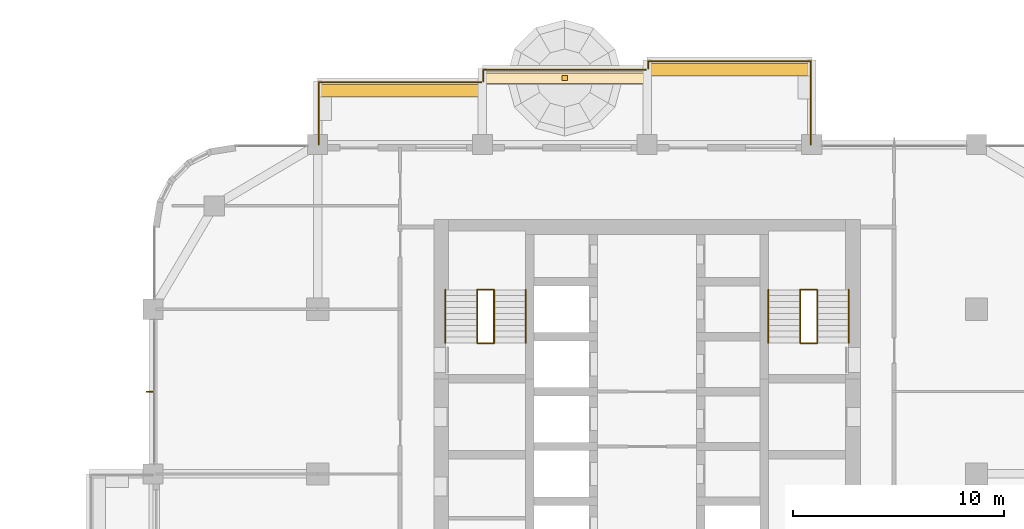
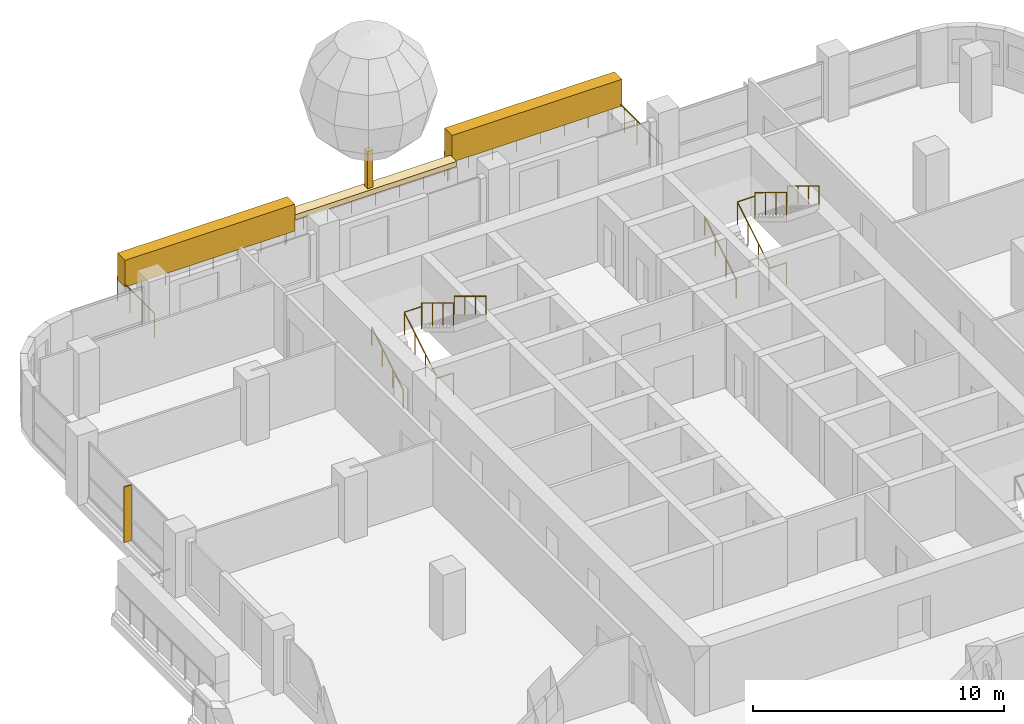
# One storey, part 19 of 21: 15 railings, 4 coverings, 1 shading device, 2 elements without a shape of their own.
"""IFC4 building model written with IfcOpenShell, lengths in metres."""

from ifc_helpers import new_model, si_unit, direction, frame, origin, origin_2d, place, context, subcontext, project, spatial, rectangle, circle, extrude, material, layer, layer_set, type_object, element, aggregate, save


model = new_model("IFC4")

# Units and contexts
model_context = context("Model", 3, precision=1e-05, world=origin(), true_north=direction((0.0, 1.0)))
body_context = subcontext(model_context, "Body", "Model", "MODEL_VIEW")
ifc_project = project(units=[si_unit("LENGTHUNIT", "METRE"), si_unit("AREAUNIT", "SQUARE_METRE"), si_unit("VOLUMEUNIT", "CUBIC_METRE"), si_unit("PLANEANGLEUNIT", "RADIAN"), si_unit("MASSUNIT", "GRAM", prefix="KILO")], contexts=[model_context])

# Site, building, storey
site_placement = place(None, origin())
site = spatial("IfcSite", under=ifc_project, at=site_placement, CompositionType="ELEMENT")
building_placement = place(site_placement, origin())
building = spatial("IfcBuilding", under=site, at=building_placement, Name="Ludao Terraces", CompositionType="ELEMENT")
storey_placement = place(building_placement, frame((0.0, 0.0, 71.60009765625)))
storey = spatial("IfcBuildingStorey", under=building, at=storey_placement, Name="L19", CompositionType="ELEMENT", Elevation=71.60009765625)

# Railings
ifc_material_1 = material(Name="Stainless steel 304", Category="steel")
railing_type_1 = type_object("IfcRailingType", Name="ENV Balcony glass guard 1200", PredefinedType="GUARDRAIL", material=ifc_material_1)
railing_1_placement = place(storey_placement, frame((69.449951171875, 88.39990234375, 0.0)))
element("IfcRailing", 1, at=railing_1_placement, inside=storey, type_object=railing_type_1, Name="Balcony guard L19 N1", PredefinedType="GUARDRAIL", context=body_context, shape_type="SweptSolid", body=[
    extrude(circle(Radius=0.02392578125, at=origin_2d()), frame((0.0, 0.0, 1.17578125), z_axis=(0.0, 1.0, 0.0), x_axis=(-1.0, 0.0, 0.0)), (0.0, 0.0, 1.0), 2.9501953125),
    extrude(circle(Radius=0.02392578125, at=origin_2d()), frame((0.0, 2.9501953125, 1.17578125), z_axis=(1.0, 0.0, 0.0), x_axis=(0.0, 1.0, 0.0)), (0.0, 0.0, 1.0), 7.699951171875),
    extrude(circle(Radius=0.02099609375, at=origin_2d()), origin(), (0.0, 0.0, 1.0), 1.15185546875),
    extrude(circle(Radius=0.02099609375, at=origin_2d()), frame((0.0, 0.9833984375, 0.0)), (0.0, 0.0, 1.0), 1.15185546875),
    extrude(circle(Radius=0.02099609375, at=origin_2d()), frame((0.0, 1.966796875, 0.0)), (0.0, 0.0, 1.0), 1.15185546875),
    extrude(circle(Radius=0.02099609375, at=origin_2d()), frame((0.0, 2.9501953125, 0.0)), (0.0, 0.0, 1.0), 1.15185546875),
    extrude(circle(Radius=0.02099609375, at=origin_2d()), frame((1.10009765625, 2.9501953125, 0.0)), (0.0, 0.0, 1.0), 1.15185546875),
    extrude(circle(Radius=0.02099609375, at=origin_2d()), frame((2.199951171875, 2.9501953125, 0.0)), (0.0, 0.0, 1.0), 1.15185546875),
    extrude(circle(Radius=0.02099609375, at=origin_2d()), frame((3.300048828125, 2.9501953125, 0.0)), (0.0, 0.0, 1.0), 1.15185546875),
    extrude(circle(Radius=0.02099609375, at=origin_2d()), frame((4.39990234375, 2.9501953125, 0.0)), (0.0, 0.0, 1.0), 1.15185546875),
    extrude(circle(Radius=0.02099609375, at=origin_2d()), frame((5.5, 2.9501953125, 0.0)), (0.0, 0.0, 1.0), 1.15185546875),
    extrude(circle(Radius=0.02099609375, at=origin_2d()), frame((6.599853515625, 2.9501953125, 0.0)), (0.0, 0.0, 1.0), 1.15185546875),
    extrude(circle(Radius=0.02099609375, at=origin_2d()), frame((7.699951171875, 2.9501953125, 0.0)), (0.0, 0.0, 1.0), 1.15185546875),
])
railing_2_placement = place(storey_placement, frame((77.25, 91.39990234375, 0.0)))
element("IfcRailing", 2, at=railing_2_placement, inside=storey, type_object=railing_type_1, Name="Balcony guard L19 N2", PredefinedType="GUARDRAIL", context=body_context, shape_type="SweptSolid", body=[
    extrude(circle(Radius=0.02392578125, at=origin_2d()), frame((0.0, 0.0, 1.17578125), z_axis=(0.0, 1.0, 0.0), x_axis=(-1.0, 0.0, 0.0)), (0.0, 0.0, 1.0), 0.550048828125),
    extrude(circle(Radius=0.02392578125, at=origin_2d()), frame((0.0, 0.550048828125, 1.17578125), z_axis=(1.0, 0.0, 0.0), x_axis=(0.0, 1.0, 0.0)), (0.0, 0.0, 1.0), 7.699951171875),
    extrude(circle(Radius=0.02099609375, at=origin_2d()), origin(), (0.0, 0.0, 1.0), 1.15185546875),
    extrude(circle(Radius=0.02099609375, at=origin_2d()), frame((0.0, 0.550048828125, 0.0)), (0.0, 0.0, 1.0), 1.15185546875),
    extrude(circle(Radius=0.02099609375, at=origin_2d()), frame((1.10009765625, 0.550048828125, 0.0)), (0.0, 0.0, 1.0), 1.15185546875),
    extrude(circle(Radius=0.02099609375, at=origin_2d()), frame((2.199951171875, 0.550048828125, 0.0)), (0.0, 0.0, 1.0), 1.15185546875),
    extrude(circle(Radius=0.02099609375, at=origin_2d()), frame((3.300048828125, 0.550048828125, 0.0)), (0.0, 0.0, 1.0), 1.15185546875),
    extrude(circle(Radius=0.02099609375, at=origin_2d()), frame((4.39990234375, 0.550048828125, 0.0)), (0.0, 0.0, 1.0), 1.15185546875),
    extrude(circle(Radius=0.02099609375, at=origin_2d()), frame((5.5, 0.550048828125, 0.0)), (0.0, 0.0, 1.0), 1.15185546875),
    extrude(circle(Radius=0.02099609375, at=origin_2d()), frame((6.599853515625, 0.550048828125, 0.0)), (0.0, 0.0, 1.0), 1.15185546875),
    extrude(circle(Radius=0.02099609375, at=origin_2d()), frame((7.699951171875, 0.550048828125, 0.0)), (0.0, 0.0, 1.0), 1.15185546875),
])
railing_3_placement = place(storey_placement, frame((85.050048828125, 92.0, 0.0)))
element("IfcRailing", 3, at=railing_3_placement, inside=storey, type_object=railing_type_1, Name="Balcony guard L19 N3", PredefinedType="GUARDRAIL", context=body_context, shape_type="SweptSolid", body=[
    extrude(circle(Radius=0.02392578125, at=origin_2d()), frame((0.0, 0.0, 1.17578125), z_axis=(0.0, 1.0, 0.0), x_axis=(-1.0, 0.0, 0.0)), (0.0, 0.0, 1.0), 0.35009765625),
    extrude(circle(Radius=0.02392578125, at=origin_2d()), frame((0.0, 0.35009765625, 1.17578125), z_axis=(1.0, 0.0, 0.0), x_axis=(0.0, 1.0, 0.0)), (0.0, 0.0, 1.0), 7.699951171875),
    extrude(circle(Radius=0.02392578125, at=origin_2d()), frame((7.699951171875, 0.35009765625, 1.17578125), z_axis=(0.0, -1.0, 0.0), x_axis=(1.0, 0.0, 0.0)), (0.0, 0.0, 1.0), 3.9501953125),
    extrude(circle(Radius=0.02099609375, at=origin_2d()), origin(), (0.0, 0.0, 1.0), 1.15185546875),
    extrude(circle(Radius=0.02099609375, at=origin_2d()), frame((0.0, 0.35009765625, 0.0)), (0.0, 0.0, 1.0), 1.15185546875),
    extrude(circle(Radius=0.02099609375, at=origin_2d()), frame((1.10009765625, 0.35009765625, 0.0)), (0.0, 0.0, 1.0), 1.15185546875),
    extrude(circle(Radius=0.02099609375, at=origin_2d()), frame((2.199951171875, 0.35009765625, 0.0)), (0.0, 0.0, 1.0), 1.15185546875),
    extrude(circle(Radius=0.02099609375, at=origin_2d()), frame((3.300048828125, 0.35009765625, 0.0)), (0.0, 0.0, 1.0), 1.15185546875),
    extrude(circle(Radius=0.02099609375, at=origin_2d()), frame((4.39990234375, 0.35009765625, 0.0)), (0.0, 0.0, 1.0), 1.15185546875),
    extrude(circle(Radius=0.02099609375, at=origin_2d()), frame((5.5, 0.35009765625, 0.0)), (0.0, 0.0, 1.0), 1.15185546875),
    extrude(circle(Radius=0.02099609375, at=origin_2d()), frame((6.599853515625, 0.35009765625, 0.0)), (0.0, 0.0, 1.0), 1.15185546875),
    extrude(circle(Radius=0.02099609375, at=origin_2d()), frame((7.699951171875, 0.35009765625, 0.0)), (0.0, 0.0, 1.0), 1.15185546875),
    extrude(circle(Radius=0.02099609375, at=origin_2d()), frame((7.699951171875, -0.637451171875, 0.0)), (0.0, 0.0, 1.0), 1.15185546875),
    extrude(circle(Radius=0.02099609375, at=origin_2d()), frame((7.699951171875, -1.625, 0.0)), (0.0, 0.0, 1.0), 1.15185546875),
    extrude(circle(Radius=0.02099609375, at=origin_2d()), frame((7.699951171875, -2.612548828125, 0.0)), (0.0, 0.0, 1.0), 1.15185546875),
    extrude(circle(Radius=0.02099609375, at=origin_2d()), frame((7.699951171875, -3.60009765625, 0.0)), (0.0, 0.0, 1.0), 1.15185546875),
])

# Coverings
ifc_material_2 = material(Name="Planting")
ifc_layer_1 = layer(ifc_material_2, 0.5)
ifc_layer_set_1 = layer_set([ifc_layer_1], Name="ENV Planting bed 250")
covering_type_1 = type_object("IfcCoveringType", Name="ENV Planting bed 250", PredefinedType="USERDEFINED", material=ifc_layer_set_1)
covering_1_placement = place(storey_placement, frame((81.10009765625, 91.550048828125, 1.099853515625), z_axis=(0.0, 0.0, 1.0), x_axis=(1.0, 0.0, 0.0)))
element("IfcCovering", 4, at=covering_1_placement, inside=storey, type_object=covering_type_1, Name="Planting bed L19-N2", ObjectType="PLANTING", PredefinedType="USERDEFINED", context=body_context, shape_type="SweptSolid", body=[
    extrude(rectangle(XDim=7.800048828125, YDim=0.5, at=origin_2d()), origin(), (0.0, 0.0, 1.0), 0.25),
])
ifc_layer_2 = layer(ifc_material_2, 0.60009765625)
ifc_layer_set_2 = layer_set([ifc_layer_2], Name="ENV Planting hedge 600x1300")
covering_type_2 = type_object("IfcCoveringType", Name="ENV Planting hedge 600x1300", PredefinedType="USERDEFINED", material=ifc_layer_set_2)
for number, where, z_axis, x_axis, name in (
    (5, (73.300048828125, 90.949951171875, 1.10009765625), (0.0, 0.0, 1.0), (1.0, 0.0, 0.0), "Planting hedge L19-N1"),
    (6, (88.89990234375, 91.949951171875, 1.10009765625), (0.0, 0.0, 1.0), (1.0, 0.0, 0.0), "Planting hedge L19-N3"),
):
    element("IfcCovering", number, at=place(storey_placement, frame(where, z_axis=z_axis, x_axis=x_axis)), inside=storey, type_object=covering_type_2, Name=name, ObjectType="PLANTING", PredefinedType="USERDEFINED", context=body_context, shape_type="SweptSolid", body=[
        extrude(rectangle(XDim=7.800048828125, YDim=0.60009765625, at=origin_2d()), origin(), (0.0, 0.0, 1.0), 1.300048828125),
    ])

# Shading device
ifc_material_3 = material(Name="Aluminium 6063-T6", Category="aluminium")
ifc_layer_3 = layer(ifc_material_3, 0.050048828125)
ifc_layer_set_3 = layer_set([ifc_layer_3], Name="ENV Sun fin 50x350")
shading_device_type = type_object("IfcShadingDeviceType", Name="ENV Sun fin 50x350", PredefinedType="USERDEFINED", material=ifc_layer_set_3)
shading_device_placement = place(storey_placement, frame((61.4599609375, 76.699951171875, 0.0), z_axis=(0.0, 0.0, 1.0), x_axis=(1.0, 0.0, 0.0)))
element("IfcShadingDevice", 7, at=shading_device_placement, inside=storey, type_object=shading_device_type, Name="FN-CW-L19-W5-1", ObjectType="FIN", PredefinedType="USERDEFINED", context=body_context, shape_type="SweptSolid", body=[
    extrude(rectangle(XDim=0.35009765625, YDim=0.050048828125, at=origin_2d()), origin(), (0.0, 0.0, 1.0), 2.699951171875),
])

# Covering
ifc_material_4 = material(Name="Timber tree trunk", Category="wood")
ifc_layer_4 = layer(ifc_material_4, 0.25)
ifc_layer_set_4 = layer_set([ifc_layer_4], Name="ENV Tree trunk 250x1800")
covering_type_3 = type_object("IfcCoveringType", Name="ENV Tree trunk 250x1800", PredefinedType="USERDEFINED", material=ifc_layer_set_4)
covering_2_placement = place(storey_placement, frame((81.10009765625, 91.550048828125, 1.35009765625), z_axis=(0.0, 0.0, 1.0), x_axis=(1.0, 0.0, 0.0)))
element("IfcCovering", 8, at=covering_2_placement, inside=storey, type_object=covering_type_3, Name="Tree trunk L19 N2", ObjectType="PLANTING", PredefinedType="USERDEFINED", context=body_context, shape_type="SweptSolid", body=[
    extrude(rectangle(XDim=0.25, YDim=0.25, at=origin_2d()), origin(), (0.0, 0.0, 1.0), 1.800048828125),
])

# Stair, railings
ifc_material_5 = material(Name="Concrete C40", Category="concrete")
stair_type = type_object("IfcStairType", Name="INT Stair", PredefinedType="HALF_TURN_STAIR", material=ifc_material_5)
stair_1_placement = place(storey_placement, origin())
stair_1 = element("IfcStair", 9, at=stair_1_placement, inside=storey, type_object=stair_type, Name="EXIT STAIR 1", PredefinedType="HALF_TURN_STAIR")
railing_type_2 = type_object("IfcRailingType", Name="INT Stair guard 1100", PredefinedType="GUARDRAIL", material=ifc_material_1)
railing_4_placement = place(storey_placement, frame((76.949951171875, 79.0, 0.169921875)))
railing_4 = element("IfcRailing", 10, at=railing_4_placement, type_object=railing_type_2, Name="ST-L19-S1-R1G", PredefinedType="GUARDRAIL", context=body_context, shape_type="SweptSolid", body=[
    extrude(circle(Radius=0.02392578125, at=origin_2d()), frame((0.0, 0.0, 1.076171875), z_axis=(0.0, 0.85478489116, 0.518982456201), x_axis=(-1.0, 0.0, 0.0)), (0.0, 0.0, 1.0), 2.9482421875),
    extrude(circle(Radius=0.02099609375, at=origin_2d()), origin(), (0.0, 0.0, 1.0), 1.052001953125),
    extrude(circle(Radius=0.02099609375, at=origin_2d()), frame((0.0, 0.840087890625, 0.510009765625)), (0.0, 0.0, 1.0), 1.052001953125),
    extrude(circle(Radius=0.02099609375, at=origin_2d()), frame((0.0, 1.679931640625, 1.02001953125)), (0.0, 0.0, 1.0), 1.052001953125),
    extrude(circle(Radius=0.02099609375, at=origin_2d()), frame((0.0, 2.52001953125, 1.530029296875)), (0.0, 0.0, 1.0), 1.052001953125),
])
railing_5_placement = place(storey_placement, frame((77.75, 81.52001953125, 1.869873046875)))
railing_5 = element("IfcRailing", 11, at=railing_5_placement, type_object=railing_type_2, Name="ST-L19-S1-R2G", PredefinedType="GUARDRAIL", context=body_context, shape_type="SweptSolid", body=[
    extrude(circle(Radius=0.02392578125, at=origin_2d()), frame((0.0, 0.0, 1.076171875), z_axis=(0.0, -0.85478489116, 0.518982456201), x_axis=(1.0, 0.0, 0.0)), (0.0, 0.0, 1.0), 2.9482421875),
    extrude(circle(Radius=0.02099609375, at=origin_2d()), origin(), (0.0, 0.0, 1.0), 1.052001953125),
    extrude(circle(Radius=0.02099609375, at=origin_2d()), frame((0.0, -0.840087890625, 0.510009765625)), (0.0, 0.0, 1.0), 1.052001953125),
    extrude(circle(Radius=0.02099609375, at=origin_2d()), frame((0.0, -1.679931640625, 1.02001953125)), (0.0, 0.0, 1.0), 1.052001953125),
    extrude(circle(Radius=0.02099609375, at=origin_2d()), frame((0.0, -2.52001953125, 1.530029296875)), (0.0, 0.0, 1.0), 1.052001953125),
])
railing_6_placement = place(storey_placement, frame((76.949951171875, 81.52001953125, 1.699951171875)))
railing_6 = element("IfcRailing", 12, at=railing_6_placement, type_object=railing_type_2, Name="ST-L19-S1-E1G", PredefinedType="GUARDRAIL", context=body_context, shape_type="SweptSolid", body=[
    extrude(circle(Radius=0.02392578125, at=origin_2d()), frame((0.0, 0.0, 1.076171875), z_axis=(1.0, 0.0, 0.0), x_axis=(0.0, 1.0, 0.0)), (0.0, 0.0, 1.0), 0.800048828125),
    extrude(circle(Radius=0.02099609375, at=origin_2d()), origin(), (0.0, 0.0, 1.0), 1.052001953125),
    extrude(circle(Radius=0.02099609375, at=origin_2d()), frame((0.800048828125, 0.0, 0.0)), (0.0, 0.0, 1.0), 1.052001953125),
])
railing_7_placement = place(storey_placement, frame((76.949951171875, 79.0, 0.0)))
railing_7 = element("IfcRailing", 13, at=railing_7_placement, type_object=railing_type_2, Name="ST-L19-S1-E2G", PredefinedType="GUARDRAIL", context=body_context, shape_type="SweptSolid", body=[
    extrude(circle(Radius=0.02392578125, at=origin_2d()), frame((0.0, 0.0, 1.076171875), z_axis=(1.0, 0.0, 0.0), x_axis=(0.0, 1.0, 0.0)), (0.0, 0.0, 1.0), 0.800048828125),
    extrude(circle(Radius=0.02099609375, at=origin_2d()), origin(), (0.0, 0.0, 1.0), 1.052001953125),
    extrude(circle(Radius=0.02099609375, at=origin_2d()), frame((0.800048828125, 0.0, 0.0)), (0.0, 0.0, 1.0), 1.052001953125),
])

stair_2_placement = place(storey_placement, origin())
stair_2 = element("IfcStair", 14, at=stair_2_placement, inside=storey, type_object=stair_type, Name="EXIT STAIR 2", PredefinedType="HALF_TURN_STAIR")
railing_8_placement = place(storey_placement, frame((92.25, 79.0, 0.169921875)))
railing_8 = element("IfcRailing", 15, at=railing_8_placement, type_object=railing_type_2, Name="ST-L19-S2-R1G", PredefinedType="GUARDRAIL", context=body_context, shape_type="SweptSolid", body=[
    extrude(circle(Radius=0.02392578125, at=origin_2d()), frame((0.0, 0.0, 1.076171875), z_axis=(0.0, 0.85478489116, 0.518982456201), x_axis=(-1.0, 0.0, 0.0)), (0.0, 0.0, 1.0), 2.9482421875),
    extrude(circle(Radius=0.02099609375, at=origin_2d()), origin(), (0.0, 0.0, 1.0), 1.052001953125),
    extrude(circle(Radius=0.02099609375, at=origin_2d()), frame((0.0, 0.840087890625, 0.510009765625)), (0.0, 0.0, 1.0), 1.052001953125),
    extrude(circle(Radius=0.02099609375, at=origin_2d()), frame((0.0, 1.679931640625, 1.02001953125)), (0.0, 0.0, 1.0), 1.052001953125),
    extrude(circle(Radius=0.02099609375, at=origin_2d()), frame((0.0, 2.52001953125, 1.530029296875)), (0.0, 0.0, 1.0), 1.052001953125),
])
railing_9_placement = place(storey_placement, frame((93.050048828125, 81.52001953125, 1.869873046875)))
railing_9 = element("IfcRailing", 16, at=railing_9_placement, type_object=railing_type_2, Name="ST-L19-S2-R2G", PredefinedType="GUARDRAIL", context=body_context, shape_type="SweptSolid", body=[
    extrude(circle(Radius=0.02392578125, at=origin_2d()), frame((0.0, 0.0, 1.076171875), z_axis=(0.0, -0.85478489116, 0.518982456201), x_axis=(1.0, 0.0, 0.0)), (0.0, 0.0, 1.0), 2.9482421875),
    extrude(circle(Radius=0.02099609375, at=origin_2d()), origin(), (0.0, 0.0, 1.0), 1.052001953125),
    extrude(circle(Radius=0.02099609375, at=origin_2d()), frame((0.0, -0.840087890625, 0.510009765625)), (0.0, 0.0, 1.0), 1.052001953125),
    extrude(circle(Radius=0.02099609375, at=origin_2d()), frame((0.0, -1.679931640625, 1.02001953125)), (0.0, 0.0, 1.0), 1.052001953125),
    extrude(circle(Radius=0.02099609375, at=origin_2d()), frame((0.0, -2.52001953125, 1.530029296875)), (0.0, 0.0, 1.0), 1.052001953125),
])
railing_10_placement = place(storey_placement, frame((92.25, 81.52001953125, 1.699951171875)))
railing_10 = element("IfcRailing", 17, at=railing_10_placement, type_object=railing_type_2, Name="ST-L19-S2-E1G", PredefinedType="GUARDRAIL", context=body_context, shape_type="SweptSolid", body=[
    extrude(circle(Radius=0.02392578125, at=origin_2d()), frame((0.0, 0.0, 1.076171875), z_axis=(1.0, 0.0, 0.0), x_axis=(0.0, 1.0, 0.0)), (0.0, 0.0, 1.0), 0.800048828125),
    extrude(circle(Radius=0.02099609375, at=origin_2d()), origin(), (0.0, 0.0, 1.0), 1.052001953125),
    extrude(circle(Radius=0.02099609375, at=origin_2d()), frame((0.800048828125, 0.0, 0.0)), (0.0, 0.0, 1.0), 1.052001953125),
])
railing_11_placement = place(storey_placement, frame((92.25, 79.0, 0.0)))
railing_11 = element("IfcRailing", 18, at=railing_11_placement, type_object=railing_type_2, Name="ST-L19-S2-E2G", PredefinedType="GUARDRAIL", context=body_context, shape_type="SweptSolid", body=[
    extrude(circle(Radius=0.02392578125, at=origin_2d()), frame((0.0, 0.0, 1.076171875), z_axis=(1.0, 0.0, 0.0), x_axis=(0.0, 1.0, 0.0)), (0.0, 0.0, 1.0), 0.800048828125),
    extrude(circle(Radius=0.02099609375, at=origin_2d()), origin(), (0.0, 0.0, 1.0), 1.052001953125),
    extrude(circle(Radius=0.02099609375, at=origin_2d()), frame((0.800048828125, 0.0, 0.0)), (0.0, 0.0, 1.0), 1.052001953125),
])

# Railing
railing_type_3 = type_object("IfcRailingType", Name="INT Stair handrail 900", PredefinedType="HANDRAIL", material=ifc_material_1)
railing_12_placement = place(storey_placement, frame((75.449951171875, 79.0, 0.169921875)))
railing_12 = element("IfcRailing", 19, at=railing_12_placement, type_object=railing_type_3, Name="ST-L19-S1-R1H", PredefinedType="HANDRAIL", context=body_context, shape_type="SweptSolid", body=[
    extrude(circle(Radius=0.02392578125, at=origin_2d()), frame((0.0, 0.0, 0.8759765625), z_axis=(0.0, 0.85478489116, 0.518982456201), x_axis=(-1.0, 0.0, 0.0)), (0.0, 0.0, 1.0), 2.9482421875),
    extrude(circle(Radius=0.02099609375, at=origin_2d()), origin(), (0.0, 0.0, 1.0), 0.851806640625),
    extrude(circle(Radius=0.02099609375, at=origin_2d()), frame((0.0, 0.840087890625, 0.510009765625)), (0.0, 0.0, 1.0), 0.851806640625),
    extrude(circle(Radius=0.02099609375, at=origin_2d()), frame((0.0, 1.679931640625, 1.02001953125)), (0.0, 0.0, 1.0), 0.851806640625),
    extrude(circle(Radius=0.02099609375, at=origin_2d()), frame((0.0, 2.52001953125, 1.530029296875)), (0.0, 0.0, 1.0), 0.851806640625),
])

railing_13_placement = place(storey_placement, frame((79.25, 81.52001953125, 1.869873046875)))
railing_13 = element("IfcRailing", 20, at=railing_13_placement, type_object=railing_type_3, Name="ST-L19-S1-R2H", PredefinedType="HANDRAIL", context=body_context, shape_type="SweptSolid", body=[
    extrude(circle(Radius=0.02392578125, at=origin_2d()), frame((0.0, 0.0, 0.8759765625), z_axis=(0.0, -0.85478489116, 0.518982456201), x_axis=(1.0, 0.0, 0.0)), (0.0, 0.0, 1.0), 2.9482421875),
    extrude(circle(Radius=0.02099609375, at=origin_2d()), origin(), (0.0, 0.0, 1.0), 0.851806640625),
    extrude(circle(Radius=0.02099609375, at=origin_2d()), frame((0.0, -0.840087890625, 0.510009765625)), (0.0, 0.0, 1.0), 0.851806640625),
    extrude(circle(Radius=0.02099609375, at=origin_2d()), frame((0.0, -1.679931640625, 1.02001953125)), (0.0, 0.0, 1.0), 0.851806640625),
    extrude(circle(Radius=0.02099609375, at=origin_2d()), frame((0.0, -2.52001953125, 1.530029296875)), (0.0, 0.0, 1.0), 0.851806640625),
])

aggregate(stair_1, [railing_4, railing_12, railing_5, railing_13, railing_6, railing_7])

railing_14_placement = place(storey_placement, frame((90.75, 79.0, 0.169921875)))
railing_14 = element("IfcRailing", 21, at=railing_14_placement, type_object=railing_type_3, Name="ST-L19-S2-R1H", PredefinedType="HANDRAIL", context=body_context, shape_type="SweptSolid", body=[
    extrude(circle(Radius=0.02392578125, at=origin_2d()), frame((0.0, 0.0, 0.8759765625), z_axis=(0.0, 0.85478489116, 0.518982456201), x_axis=(-1.0, 0.0, 0.0)), (0.0, 0.0, 1.0), 2.9482421875),
    extrude(circle(Radius=0.02099609375, at=origin_2d()), origin(), (0.0, 0.0, 1.0), 0.851806640625),
    extrude(circle(Radius=0.02099609375, at=origin_2d()), frame((0.0, 0.840087890625, 0.510009765625)), (0.0, 0.0, 1.0), 0.851806640625),
    extrude(circle(Radius=0.02099609375, at=origin_2d()), frame((0.0, 1.679931640625, 1.02001953125)), (0.0, 0.0, 1.0), 0.851806640625),
    extrude(circle(Radius=0.02099609375, at=origin_2d()), frame((0.0, 2.52001953125, 1.530029296875)), (0.0, 0.0, 1.0), 0.851806640625),
])

railing_15_placement = place(storey_placement, frame((94.550048828125, 81.52001953125, 1.869873046875)))
railing_15 = element("IfcRailing", 22, at=railing_15_placement, type_object=railing_type_3, Name="ST-L19-S2-R2H", PredefinedType="HANDRAIL", context=body_context, shape_type="SweptSolid", body=[
    extrude(circle(Radius=0.02392578125, at=origin_2d()), frame((0.0, 0.0, 0.8759765625), z_axis=(0.0, -0.85478489116, 0.518982456201), x_axis=(1.0, 0.0, 0.0)), (0.0, 0.0, 1.0), 2.9482421875),
    extrude(circle(Radius=0.02099609375, at=origin_2d()), origin(), (0.0, 0.0, 1.0), 0.851806640625),
    extrude(circle(Radius=0.02099609375, at=origin_2d()), frame((0.0, -0.840087890625, 0.510009765625)), (0.0, 0.0, 1.0), 0.851806640625),
    extrude(circle(Radius=0.02099609375, at=origin_2d()), frame((0.0, -1.679931640625, 1.02001953125)), (0.0, 0.0, 1.0), 0.851806640625),
    extrude(circle(Radius=0.02099609375, at=origin_2d()), frame((0.0, -2.52001953125, 1.530029296875)), (0.0, 0.0, 1.0), 0.851806640625),
])

aggregate(stair_2, [railing_8, railing_14, railing_9, railing_15, railing_10, railing_11])

save(model, "model.ifc")
